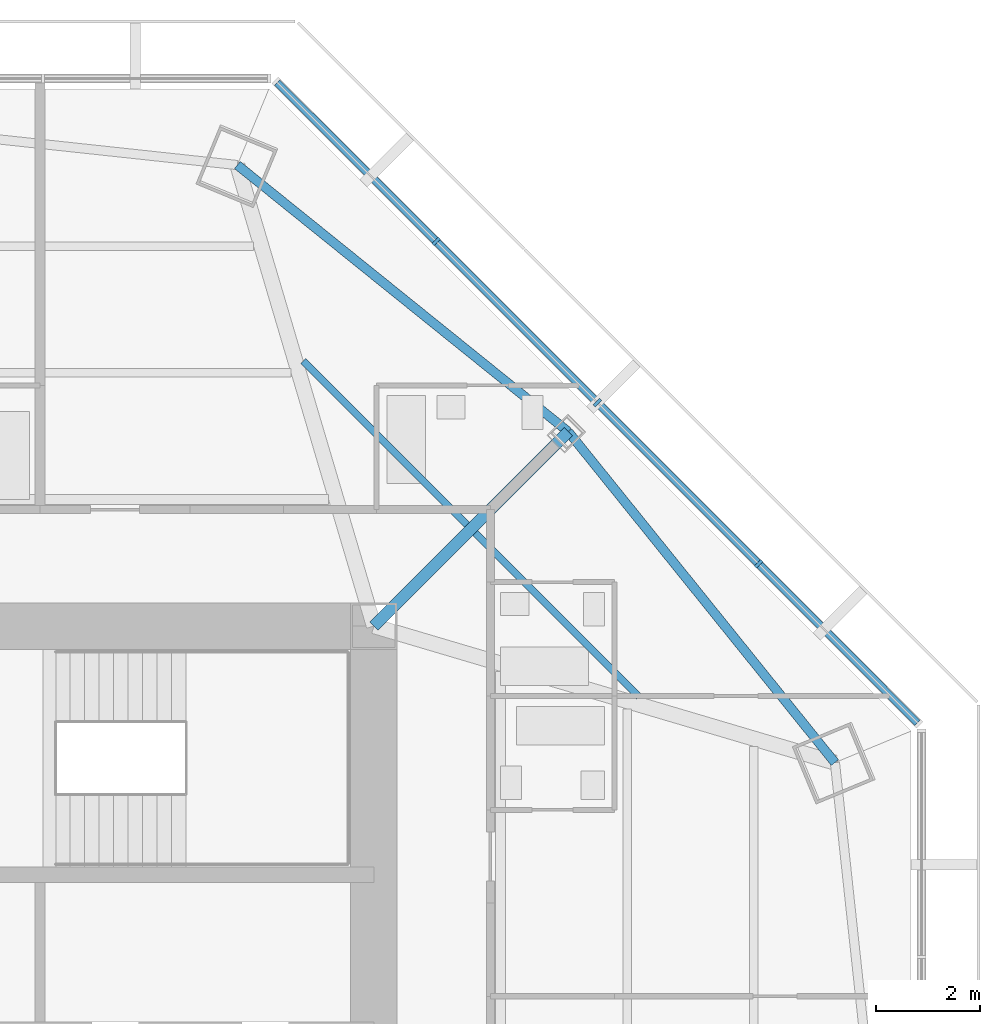
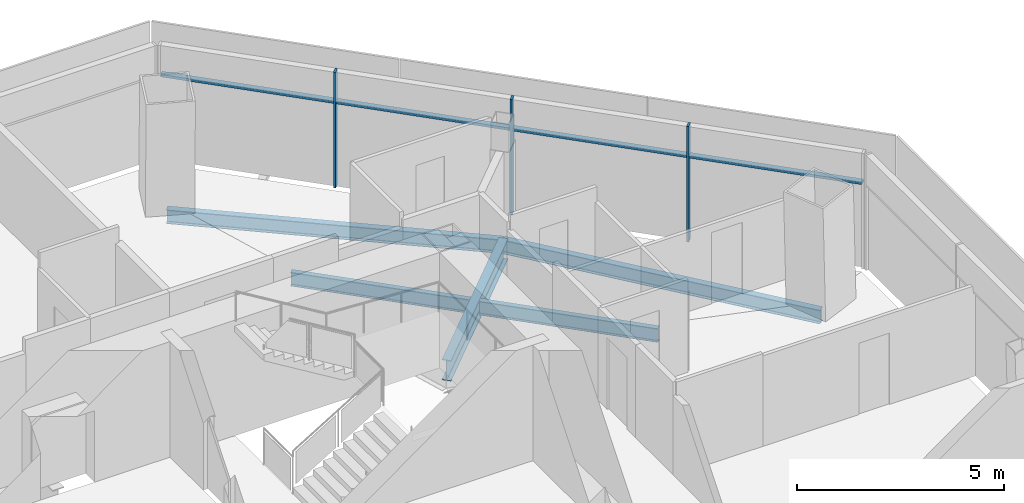
# One storey, part 7 of 15: 7 members, 5 beams, 1 element without a shape of its own.
"""IFC4 building model written with IfcOpenShell, lengths in metres."""

import ifcopenshell
import ifcopenshell.guid

model = None  # the IFC model being written
_history = None  # IfcOwnerHistory: only IFC2X3 demands one
_inside = {}  # id of a spatial element -> (the spatial element, [elements in it])
_under = {}  # id of a project, library or spatial element -> (it, [spatial elements below it])
_declared = {}  # id of a project -> (the project, [libraries it declares])
_typed = {}  # id of a type object -> (the type object, [elements of that type])
_made_of = {}  # id of a material, layer set ... -> (it, [elements and type objects made of it])


def new_model(schema):
    """Start an empty IFC model of exactly this schema.

    Asked for "IFC4X3", IfcOpenShell would pick the latest addendum, in which some entities
    have other attributes; the version numbers below select the first issue.
    IFC2X3 requires an IfcOwnerHistory on every rooted entity: one is made here for all.
    """
    global model, _history
    if schema == "IFC4X3":
        model = ifcopenshell.file(schema_version=(4, 3, 0, 0))
    else:
        model = ifcopenshell.file(schema=schema)
    _inside.clear()
    _under.clear()
    _declared.clear()
    _typed.clear()
    _made_of.clear()
    _history = None
    if model.schema == "IFC2X3":
        org = make("IfcOrganization", Name="unknown")
        user = make(
            "IfcPersonAndOrganization",
            ThePerson=make("IfcPerson", FamilyName="unknown"),
            TheOrganization=org,
        )
        app = make(
            "IfcApplication",
            ApplicationDeveloper=org,
            Version="unknown",
            ApplicationFullName="unknown",
            ApplicationIdentifier="unknown",
        )
        _history = make(
            "IfcOwnerHistory",
            OwningUser=user,
            OwningApplication=app,
            ChangeAction="ADDED",
            CreationDate=0,
        )
    return model


def make(cls, **values):
    """One entity of the class cls with the attributes given. An attribute that is None is left unset."""
    return model.create_entity(
        cls, **{name: value for name, value in values.items() if value is not None}
    )


def rooted(cls, **values):
    """An entity with a GlobalId (a new one), such as an element, a storey or a relation."""
    return make(cls, GlobalId=ifcopenshell.guid.new(), OwnerHistory=_history, **values)


def si_unit(unit_type, name, prefix=None):
    """IfcSIUnit, for example si_unit("LENGTHUNIT", "METRE", prefix="MILLI")."""
    return make("IfcSIUnit", UnitType=unit_type, Prefix=prefix, Name=name)


def assignment(units):
    """IfcUnitAssignment: the units of a project."""
    return None if units is None else make("IfcUnitAssignment", Units=units)


def point(xyz):
    """IfcCartesianPoint."""
    return None if xyz is None else make("IfcCartesianPoint", Coordinates=xyz)


def direction(xyz):
    """IfcDirection."""
    return None if xyz is None else make("IfcDirection", DirectionRatios=xyz)


def frame(location, z_axis=None, x_axis=None):
    """IfcAxis2Placement3D, a coordinate frame: its origin and axes. An axis left out is left unset."""
    return make(
        "IfcAxis2Placement3D",
        Location=point(location),
        Axis=direction(z_axis),
        RefDirection=direction(x_axis),
    )


def frame_2d(location, x_axis=None):
    """IfcAxis2Placement2D, a coordinate frame in the plane: its origin and x axis."""
    return make(
        "IfcAxis2Placement2D", Location=point(location), RefDirection=direction(x_axis)
    )


def origin():
    """The frame at (0, 0, 0) with its axes left unset."""
    return frame((0.0, 0.0, 0.0))


def origin_2d():
    """The frame at (0, 0) in the plane with its x axis left unset."""
    return frame_2d((0.0, 0.0))


def place(relative_to, where):
    """IfcLocalPlacement: puts the frame where relative to a parent placement (None: the world)."""
    return make(
        "IfcLocalPlacement", PlacementRelTo=relative_to, RelativePlacement=where
    )


def context(
    kind, dimensions, precision=None, world=None, true_north=None, identifier=None
):
    """IfcGeometricRepresentationContext, for example the 3D "Model" context."""
    return make(
        "IfcGeometricRepresentationContext",
        ContextIdentifier=identifier,
        ContextType=kind,
        CoordinateSpaceDimension=dimensions,
        Precision=precision,
        WorldCoordinateSystem=world,
        TrueNorth=true_north,
    )


def subcontext(parent, identifier, kind, view, scale=None):
    """IfcGeometricRepresentationSubContext, for example "Body" below "Model"."""
    return make(
        "IfcGeometricRepresentationSubContext",
        ContextIdentifier=identifier,
        ContextType=kind,
        ParentContext=parent,
        TargetScale=scale,
        TargetView=view,
    )


def project(units=None, contexts=None):
    """IfcProject with its units and contexts."""
    return rooted(
        "IfcProject",
        Name="project",
        RepresentationContexts=contexts,
        UnitsInContext=assignment(units),
    )


def spatial(cls, under=None, at=None, **own):
    """A site, building, storey or space (cls), placed at a placement, below another one or the project."""
    s = rooted(cls, ObjectPlacement=at, **own)
    if under is not None:
        _under.setdefault(under.id(), (under, []))[1].append(s)
    return s


def profile(cls, at=None, kind="AREA", **sizes):
    """A parametric profile (cls). Its sizes go by their IFC names, for example OverallWidth=200.0."""
    return make(cls, ProfileType=kind, Position=at, **sizes)


def rectangle(**sizes):
    """IfcRectangleProfileDef."""
    return profile("IfcRectangleProfileDef", **sizes)


def i_section(**sizes):
    """IfcIShapeProfileDef."""
    return profile("IfcIShapeProfileDef", **sizes)


def extrude(swept, where, along, depth):
    """IfcExtrudedAreaSolid: the profile swept, set in the frame where, extruded along a direction by depth."""
    return make(
        "IfcExtrudedAreaSolid",
        SweptArea=swept,
        Position=where,
        ExtrudedDirection=direction(along),
        Depth=depth,
    )


def shape(context_of_items, identifier, shape_type, items):
    """IfcShapeRepresentation: the items that make up one representation, for example the "Body"."""
    return make(
        "IfcShapeRepresentation",
        ContextOfItems=context_of_items,
        RepresentationIdentifier=identifier,
        RepresentationType=shape_type,
        Items=items,
    )


def source(mapping_origin, context_of_items, identifier, shape_type, items):
    """IfcRepresentationMap: a shape defined once, which mapped items show again and again."""
    return make(
        "IfcRepresentationMap",
        MappingOrigin=mapping_origin,
        MappedRepresentation=shape(context_of_items, identifier, shape_type, items),
    )


def transform(
    local_origin,
    x_axis=None,
    y_axis=None,
    z_axis=None,
    scale=None,
    scale2=None,
    scale3=None,
    uniform=True,
):
    """IfcCartesianTransformationOperator3D, or its non-uniform kind. x_axis, y_axis, z_axis: its Axis1, 2, 3."""
    if uniform:
        return make(
            "IfcCartesianTransformationOperator3D",
            Axis1=direction(x_axis),
            Axis2=direction(y_axis),
            LocalOrigin=point(local_origin),
            Scale=scale,
            Axis3=direction(z_axis),
        )
    return make(
        "IfcCartesianTransformationOperator3DnonUniform",
        Axis1=direction(x_axis),
        Axis2=direction(y_axis),
        LocalOrigin=point(local_origin),
        Scale=scale,
        Axis3=direction(z_axis),
        Scale2=scale2,
        Scale3=scale3,
    )


def mapped(mapping_source, mapping_target):
    """IfcMappedItem: shows the shape of a source again, moved by a transform."""
    return make(
        "IfcMappedItem", MappingSource=mapping_source, MappingTarget=mapping_target
    )


def material(Name=None, Category=None):
    """IfcMaterial."""
    return make("IfcMaterial", Name=Name, Category=Category)


def material_profile(
    of_material, cross_section, Name=None, Category=None, Priority=None
):
    """IfcMaterialProfile: a cross section and its material."""
    return make(
        "IfcMaterialProfile",
        Name=Name,
        Material=of_material,
        Profile=cross_section,
        Priority=Priority,
        Category=Category,
    )


def profile_set(profiles, Name=None, composite=None):
    """IfcMaterialProfileSet."""
    return make(
        "IfcMaterialProfileSet",
        Name=Name,
        MaterialProfiles=profiles,
        CompositeProfile=composite,
    )


def made_of(thing, what):
    """Note that an element or type object is made of a material, layer set ...; save() writes the relation."""
    if what is not None:
        _made_of.setdefault(what.id(), (what, []))[1].append(thing)
    return thing


def type_object(cls, material=None, **own):
    """A type object (cls), such as IfcWallType, which elements share."""
    return made_of(rooted(cls, **own), material)


def type_shapes(of_type, sources):
    """Give a type object the sources (RepresentationMaps) that its elements show as mapped items."""
    of_type.RepresentationMaps = sources


def element(
    cls,
    number,
    at=None,
    inside=None,
    cuts=None,
    type_object=None,
    material=None,
    context=None,
    identifier="Body",
    shape_type=None,
    held_by="IfcProductDefinitionShape",
    body=None,
    shapes=None,
    **own,
):
    """One element of the class cls, such as IfcWall. Its Tag is "e" and its number.

    at: its placement. inside: the storey or other place that contains it. cuts: it is an
    opening in that element (IfcRelVoidsElement). A single representation is given by context,
    identifier, shape_type and body (its items); several are given by shapes. held_by: the class
    of the entity that holds the representations. save() writes the other relations.
    """
    e = rooted(cls, Tag="e%d" % number, ObjectPlacement=at, **own)
    if body is not None:
        shapes = [shape(context, identifier, shape_type, body)]
    if shapes is not None:
        e.Representation = make(held_by, Representations=shapes)
    if inside is not None:
        _inside.setdefault(inside.id(), (inside, []))[1].append(e)
    if cuts is not None:
        rooted(
            "IfcRelVoidsElement", RelatingBuildingElement=cuts, RelatedOpeningElement=e
        )
    if type_object is not None:
        _typed.setdefault(type_object.id(), (type_object, []))[1].append(e)
    return made_of(e, material)


def aggregate(whole, parts):
    """IfcRelAggregates: a whole, such as a stair, and the parts it consists of."""
    return rooted("IfcRelAggregates", RelatingObject=whole, RelatedObjects=parts)


def save(model, path):
    """Write the relations noted so far, then the file.

    IfcRelAggregates (storeys below a building ...), IfcRelContainedInSpatialStructure (elements
    in a storey), IfcRelDefinesByType, IfcRelAssociatesMaterial and IfcRelDeclares: one each for
    every whole, place, type object, material and project.
    """
    for whole, parts in _under.values():
        aggregate(whole, parts)
    for where, things in _inside.values():
        rooted(
            "IfcRelContainedInSpatialStructure",
            RelatedElements=things,
            RelatingStructure=where,
        )
    for kind, things in _typed.values():
        rooted("IfcRelDefinesByType", RelatedObjects=things, RelatingType=kind)
    for what, things in _made_of.values():
        rooted("IfcRelAssociatesMaterial", RelatedObjects=things, RelatingMaterial=what)
    for by, libraries in _declared.values():
        rooted("IfcRelDeclares", RelatingContext=by, RelatedDefinitions=libraries)
    model.write(path)


model = new_model("IFC4")

# Units and contexts
model_context = context("Model", 3, precision=1e-05, world=origin(), true_north=direction((0.0, 1.0)))
body_context = subcontext(model_context, "Body", "Model", "MODEL_VIEW")
ifc_project = project(units=[si_unit("LENGTHUNIT", "METRE"), si_unit("AREAUNIT", "SQUARE_METRE"), si_unit("VOLUMEUNIT", "CUBIC_METRE"), si_unit("PLANEANGLEUNIT", "RADIAN"), si_unit("MASSUNIT", "GRAM", prefix="KILO")], contexts=[model_context])

# Site, building, storey
site_placement = place(None, origin())
site = spatial("IfcSite", under=ifc_project, at=site_placement, CompositionType="ELEMENT")
building_placement = place(site_placement, origin())
building = spatial("IfcBuilding", under=site, at=building_placement, Name="Mashrafa Tower", CompositionType="ELEMENT")
storey_placement = place(building_placement, frame((0.0, 0.0, 234.60009765625)))
storey = spatial("IfcBuildingStorey", under=building, at=storey_placement, Name="L55", CompositionType="ELEMENT", Elevation=234.60009765625)

# Beams
ifc_material_1 = material(Name="Steel ASTM A992", Category="steel")
ifc_material_profile_1 = material_profile(ifc_material_1, i_section(OverallWidth=0.140380859375, OverallDepth=0.40380859375, WebThickness=0.007080078125, FlangeThickness=0.01123046875, FilletRadius=0.01025390625, at=origin_2d()), Name="W16X31")
ifc_profile_set_1 = profile_set([ifc_material_profile_1], Name="Steel ASTM A992")
beam_type_1 = type_object("IfcBeamType", Name="Beam W16X31", PredefinedType="BEAM", material=ifc_profile_set_1)
for number, where, z_axis, x_axis, name in (
    (1, (9.436279296875, 15.918701171875, -0.402099609375), (0.707106781187, -0.707106781187, 0.0), (0.707106781187, 0.707106781187, 0.0), "Floor beam L55 021"),
    (2, (12.75830078125, 12.5966796875, -0.402099609375), (0.707106781187, -0.707106781187, 0.0), (0.707106781187, 0.707106781187, 0.0), "Floor beam L55 025"),
):
    element("IfcBeam", number, at=place(storey_placement, frame(where, z_axis=z_axis, x_axis=x_axis)), inside=storey, type_object=beam_type_1, Name=name, PredefinedType="BEAM", context=body_context, shape_type="SweptSolid", body=[
        extrude(i_section(OverallWidth=0.140380859375, OverallDepth=0.40380859375, WebThickness=0.007080078125, FlangeThickness=0.01123046875, FilletRadius=0.01025390625, at=origin_2d()), origin(), (0.0, 0.0, 1.0), 4.469482421875),
    ])
ifc_material_2 = material(Name="Steel ASTM A992", Category="steel")
ifc_material_profile_2 = material_profile(ifc_material_2, i_section(OverallWidth=0.177734375, OverallDepth=0.406494140625, WebThickness=0.0078125, FlangeThickness=0.012939453125, FilletRadius=0.01025390625, at=origin_2d()), Name="W16X40")
ifc_profile_set_2 = profile_set([ifc_material_profile_2], Name="Steel ASTM A992")
beam_type_2 = type_object("IfcBeamType", Name="Beam W16X40", PredefinedType="BEAM", material=ifc_profile_set_2)
for number, where, z_axis, x_axis, name in (
    (3, (14.554931640625, 14.554931640625, -0.4033203125), (-0.778676418482, 0.627425720942, 0.0), (-0.627425720942, -0.778676418482, 0.0), "Spandrel beam L55 061"),
    (4, (19.705810546875, 8.162353515625, -0.4033203125), (-0.627425720942, 0.778676418482, 0.0), (-0.778676418482, -0.627425720942, 0.0), "Spandrel beam L55 063"),
):
    element("IfcBeam", number, at=place(storey_placement, frame(where, z_axis=z_axis, x_axis=x_axis)), inside=storey, type_object=beam_type_2, Name=name, PredefinedType="BEAM", context=body_context, shape_type="SweptSolid", body=[
        extrude(i_section(OverallWidth=0.177734375, OverallDepth=0.406494140625, WebThickness=0.0078125, FlangeThickness=0.012939453125, FilletRadius=0.01025390625, at=origin_2d()), origin(), (0.0, 0.0, 1.0), 8.20947265625),
    ])
ifc_material_3 = material(Name="Steel ASTM A992", Category="steel")
ifc_material_profile_3 = material_profile(ifc_material_3, i_section(OverallWidth=0.228271484375, OverallDepth=0.607177734375, WebThickness=0.01123046875, FlangeThickness=0.017333984375, FilletRadius=0.0126953125, at=origin_2d()), Name="W24X76")
ifc_profile_set_3 = profile_set([ifc_material_profile_3], Name="Steel ASTM A992")
beam_type_3 = type_object("IfcBeamType", Name="Beam W24X76", PredefinedType="BEAM", material=ifc_profile_set_3)
beam_placement = place(storey_placement, frame((10.800048828125, 10.800048828125, -0.503662109375), z_axis=(0.707106781187, 0.707106781187, 0.0), x_axis=(-0.707106781187, 0.707106781187, 0.0)))
element("IfcBeam", 5, at=beam_placement, inside=storey, type_object=beam_type_3, Name="Radial girder L55 047", PredefinedType="BEAM", context=body_context, shape_type="SweptSolid", body=[
    extrude(i_section(OverallWidth=0.228271484375, OverallDepth=0.607177734375, WebThickness=0.01123046875, FlangeThickness=0.017333984375, FilletRadius=0.0126953125, at=origin_2d()), origin(), (0.0, 0.0, 1.0), 5.310302734375),
])

# Curtain wall, members
ifc_material_4 = material(Name="Unitised aluminium curtain wall", Category="aluminium")
curtain_wall_type = type_object("IfcCurtainWallType", Name="Apartment curtain wall, zone 3 CW-C 180 deep", PredefinedType="NOTDEFINED", material=ifc_material_4)
curtain_wall_placement = place(storey_placement, origin())
curtain_wall = element("IfcCurtainWall", 6, at=curtain_wall_placement, inside=storey, type_object=curtain_wall_type, Name="Apartment curtain wall, zone 3 L55 north-east", PredefinedType="NOTDEFINED")
ifc_material_5 = material(Name="Extruded aluminium mullion", Category="aluminium")
ifc_material_profile_4 = material_profile(ifc_material_5, rectangle(XDim=0.179931640625, YDim=0.06005859375, at=origin_2d()), Name="Mullion 60x180")
ifc_profile_set_4 = profile_set([ifc_material_profile_4], Name="Extruded aluminium mullion")
member_type_1 = type_object("IfcMemberType", Name="Mullion CW-C 60 x 180", PredefinedType="MULLION", material=ifc_profile_set_4)
shared_shape_1 = source(origin(), body_context, "Body", "SweptSolid", [
    extrude(rectangle(XDim=0.179931640625, YDim=0.06005859375, at=origin_2d()), origin(), (0.0, 0.0, 1.0), 3.39990234375),
])
type_shapes(member_type_1, [shared_shape_1])
member_1_placement = place(storey_placement, frame((18.230712890625, 12.002685546875, 0.0), z_axis=(0.0, 0.0, 1.0), x_axis=(-0.707106781187, -0.707106781187, 0.0)))
member_1 = element("IfcMember", 7, at=member_1_placement, type_object=member_type_1, Name="CW-C mullion 2", PredefinedType="MULLION", context=body_context, shape_type="MappedRepresentation", body=[
    mapped(shared_shape_1, transform((0.0, 0.0, 0.0))),
])
member_2_placement = place(storey_placement, frame((15.11669921875, 15.11669921875, 0.0), z_axis=(0.0, 0.0, 1.0), x_axis=(-0.707106781187, -0.707106781187, 0.0)))
member_2 = element("IfcMember", 8, at=member_2_placement, type_object=member_type_1, Name="CW-C mullion 3", PredefinedType="MULLION", context=body_context, shape_type="MappedRepresentation", body=[
    mapped(shared_shape_1, transform((0.0, 0.0, 0.0))),
])
member_3_placement = place(storey_placement, frame((12.002685546875, 18.230712890625, 0.0), z_axis=(0.0, 0.0, 1.0), x_axis=(-0.707106781187, -0.707106781187, 0.0)))
member_3 = element("IfcMember", 9, at=member_3_placement, type_object=member_type_1, Name="CW-C mullion 4", PredefinedType="MULLION", context=body_context, shape_type="MappedRepresentation", body=[
    mapped(shared_shape_1, transform((0.0, 0.0, 0.0))),
])
ifc_material_6 = material(Name="Extruded aluminium transom", Category="aluminium")
ifc_material_profile_5 = material_profile(ifc_material_6, rectangle(XDim=0.14404296875, YDim=0.074951171875, at=origin_2d()), Name="Transom 75x144")
ifc_profile_set_5 = profile_set([ifc_material_profile_5], Name="Extruded aluminium transom")
member_type_2 = type_object("IfcMemberType", Name="Transom CW-C 75 x 144", PredefinedType="MULLION", material=ifc_profile_set_5)
shared_shape_2 = source(origin(), body_context, "Body", "SweptSolid", [
    extrude(rectangle(XDim=0.14404296875, YDim=0.074951171875, at=origin_2d()), origin(), (0.0, 0.0, 1.0), 4.31396484375),
])
member_4_placement = place(storey_placement, frame((21.30224609375, 8.930908203125, 2.5), z_axis=(-0.707078483899, 0.707135077342, 0.0), x_axis=(-0.707135077342, -0.707078483899, 0.0)))
member_4 = element("IfcMember", 10, at=member_4_placement, type_object=member_type_2, Name="CW-C transom 1", PredefinedType="MULLION", context=body_context, shape_type="MappedRepresentation", body=[
    mapped(shared_shape_2, transform((0.0, 0.0, 0.0))),
])
member_5_placement = place(storey_placement, frame((11.9814453125, 18.251953125, 2.5), z_axis=(-0.707135077342, 0.707078483899, 0.0), x_axis=(-0.707078483899, -0.707135077342, 0.0)))
member_5 = element("IfcMember", 11, at=member_5_placement, type_object=member_type_2, Name="CW-C transom 4", PredefinedType="MULLION", context=body_context, shape_type="MappedRepresentation", body=[
    mapped(shared_shape_2, transform((0.0, 0.0, 0.0))),
])
shared_shape_3 = source(origin(), body_context, "Body", "SweptSolid", [
    extrude(rectangle(XDim=0.14404296875, YDim=0.074951171875, at=origin_2d()), origin(), (0.0, 0.0, 1.0), 4.34375),
])
type_shapes(member_type_2, [shared_shape_2, shared_shape_3])
member_6_placement = place(storey_placement, frame((18.20947265625, 12.02392578125, 2.5), z_axis=(-0.707106781187, 0.707106781187, 0.0), x_axis=(-0.707106781187, -0.707106781187, 0.0)))
member_6 = element("IfcMember", 12, at=member_6_placement, type_object=member_type_2, Name="CW-C transom 2", PredefinedType="MULLION", context=body_context, shape_type="MappedRepresentation", body=[
    mapped(shared_shape_3, transform((0.0, 0.0, 0.0))),
])
member_7_placement = place(storey_placement, frame((15.095458984375, 15.137939453125, 2.5), z_axis=(-0.707106781187, 0.707106781187, 0.0), x_axis=(-0.707106781187, -0.707106781187, 0.0)))
member_7 = element("IfcMember", 13, at=member_7_placement, type_object=member_type_2, Name="CW-C transom 3", PredefinedType="MULLION", context=body_context, shape_type="MappedRepresentation", body=[
    mapped(shared_shape_3, transform((0.0, 0.0, 0.0))),
])
aggregate(curtain_wall, [member_1, member_2, member_3, member_4, member_6, member_7, member_5])

save(model, "model.ifc")
